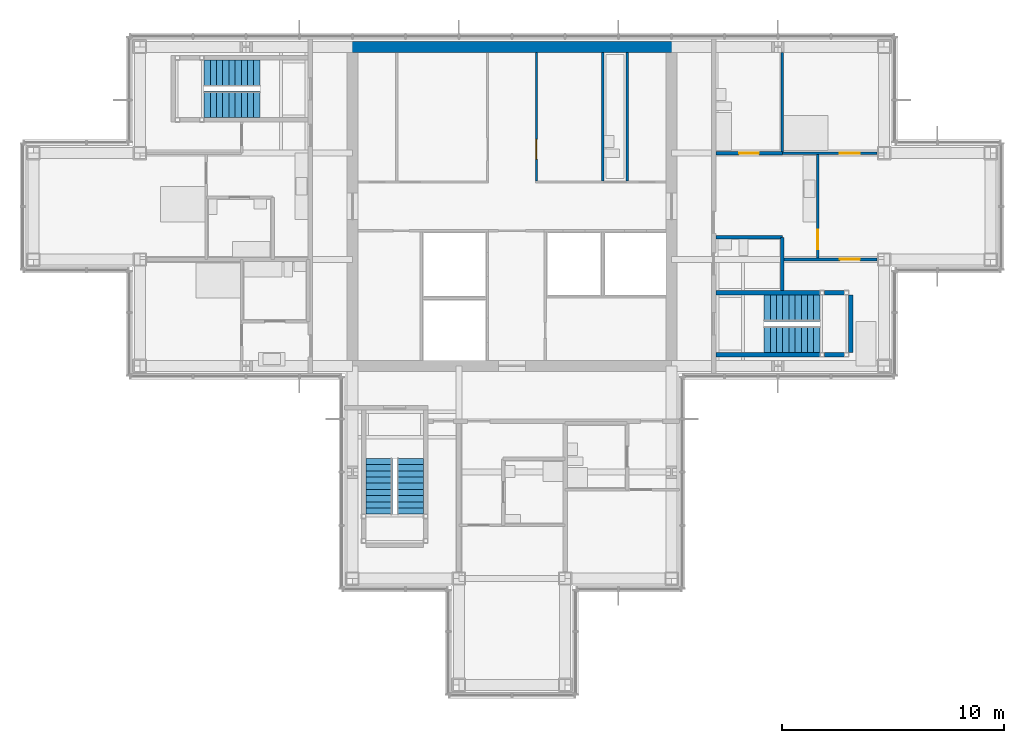
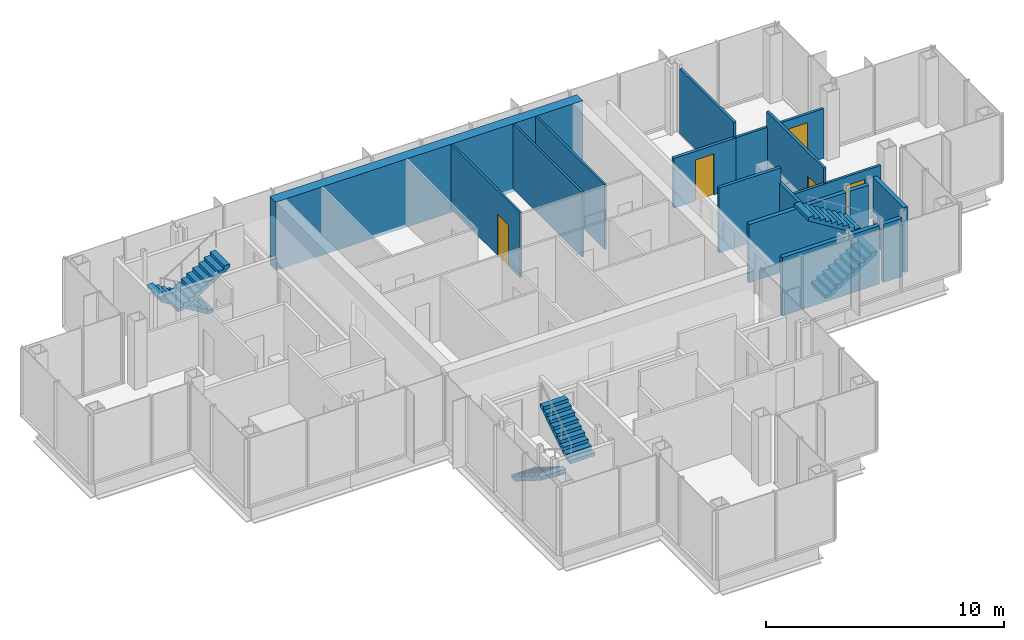
# One storey, part 12 of 15: 16 walls, 6 stair flights, 5 doors, 5 openings, 3 elements without a shape of their own.
"""IFC4 building model written with IfcOpenShell, lengths in metres."""

import ifcopenshell
import ifcopenshell.guid

model = None  # the IFC model being written
_history = None  # IfcOwnerHistory: only IFC2X3 demands one
_inside = {}  # id of a spatial element -> (the spatial element, [elements in it])
_under = {}  # id of a project, library or spatial element -> (it, [spatial elements below it])
_declared = {}  # id of a project -> (the project, [libraries it declares])
_typed = {}  # id of a type object -> (the type object, [elements of that type])
_made_of = {}  # id of a material, layer set ... -> (it, [elements and type objects made of it])


def new_model(schema):
    """Start an empty IFC model of exactly this schema.

    Asked for "IFC4X3", IfcOpenShell would pick the latest addendum, in which some entities
    have other attributes; the version numbers below select the first issue.
    IFC2X3 requires an IfcOwnerHistory on every rooted entity: one is made here for all.
    """
    global model, _history
    if schema == "IFC4X3":
        model = ifcopenshell.file(schema_version=(4, 3, 0, 0))
    else:
        model = ifcopenshell.file(schema=schema)
    _inside.clear()
    _under.clear()
    _declared.clear()
    _typed.clear()
    _made_of.clear()
    _history = None
    if model.schema == "IFC2X3":
        org = make("IfcOrganization", Name="unknown")
        user = make(
            "IfcPersonAndOrganization",
            ThePerson=make("IfcPerson", FamilyName="unknown"),
            TheOrganization=org,
        )
        app = make(
            "IfcApplication",
            ApplicationDeveloper=org,
            Version="unknown",
            ApplicationFullName="unknown",
            ApplicationIdentifier="unknown",
        )
        _history = make(
            "IfcOwnerHistory",
            OwningUser=user,
            OwningApplication=app,
            ChangeAction="ADDED",
            CreationDate=0,
        )
    return model


def make(cls, **values):
    """One entity of the class cls with the attributes given. An attribute that is None is left unset."""
    return model.create_entity(
        cls, **{name: value for name, value in values.items() if value is not None}
    )


def rooted(cls, **values):
    """An entity with a GlobalId (a new one), such as an element, a storey or a relation."""
    return make(cls, GlobalId=ifcopenshell.guid.new(), OwnerHistory=_history, **values)


def si_unit(unit_type, name, prefix=None):
    """IfcSIUnit, for example si_unit("LENGTHUNIT", "METRE", prefix="MILLI")."""
    return make("IfcSIUnit", UnitType=unit_type, Prefix=prefix, Name=name)


def assignment(units):
    """IfcUnitAssignment: the units of a project."""
    return None if units is None else make("IfcUnitAssignment", Units=units)


def point(xyz):
    """IfcCartesianPoint."""
    return None if xyz is None else make("IfcCartesianPoint", Coordinates=xyz)


def direction(xyz):
    """IfcDirection."""
    return None if xyz is None else make("IfcDirection", DirectionRatios=xyz)


def frame(location, z_axis=None, x_axis=None):
    """IfcAxis2Placement3D, a coordinate frame: its origin and axes. An axis left out is left unset."""
    return make(
        "IfcAxis2Placement3D",
        Location=point(location),
        Axis=direction(z_axis),
        RefDirection=direction(x_axis),
    )


def frame_2d(location, x_axis=None):
    """IfcAxis2Placement2D, a coordinate frame in the plane: its origin and x axis."""
    return make(
        "IfcAxis2Placement2D", Location=point(location), RefDirection=direction(x_axis)
    )


def origin():
    """The frame at (0, 0, 0) with its axes left unset."""
    return frame((0.0, 0.0, 0.0))


def place(relative_to, where):
    """IfcLocalPlacement: puts the frame where relative to a parent placement (None: the world)."""
    return make(
        "IfcLocalPlacement", PlacementRelTo=relative_to, RelativePlacement=where
    )


def context(
    kind, dimensions, precision=None, world=None, true_north=None, identifier=None
):
    """IfcGeometricRepresentationContext, for example the 3D "Model" context."""
    return make(
        "IfcGeometricRepresentationContext",
        ContextIdentifier=identifier,
        ContextType=kind,
        CoordinateSpaceDimension=dimensions,
        Precision=precision,
        WorldCoordinateSystem=world,
        TrueNorth=true_north,
    )


def subcontext(parent, identifier, kind, view, scale=None):
    """IfcGeometricRepresentationSubContext, for example "Body" below "Model"."""
    return make(
        "IfcGeometricRepresentationSubContext",
        ContextIdentifier=identifier,
        ContextType=kind,
        ParentContext=parent,
        TargetScale=scale,
        TargetView=view,
    )


def project(units=None, contexts=None):
    """IfcProject with its units and contexts."""
    return rooted(
        "IfcProject",
        Name="project",
        RepresentationContexts=contexts,
        UnitsInContext=assignment(units),
    )


def spatial(cls, under=None, at=None, **own):
    """A site, building, storey or space (cls), placed at a placement, below another one or the project."""
    s = rooted(cls, ObjectPlacement=at, **own)
    if under is not None:
        _under.setdefault(under.id(), (under, []))[1].append(s)
    return s


def polyline(points):
    """IfcPolyline through the points."""
    return make("IfcPolyline", Points=[point(p) for p in points])


def profile(cls, at=None, kind="AREA", **sizes):
    """A parametric profile (cls). Its sizes go by their IFC names, for example OverallWidth=200.0."""
    return make(cls, ProfileType=kind, Position=at, **sizes)


def rectangle(**sizes):
    """IfcRectangleProfileDef."""
    return profile("IfcRectangleProfileDef", **sizes)


def outline(outer, holes=None, kind="AREA"):
    """IfcArbitraryClosedProfileDef: a profile drawn as a closed curve; with holes, ...WithVoids."""
    if holes is None:
        return make("IfcArbitraryClosedProfileDef", ProfileType=kind, OuterCurve=outer)
    return make(
        "IfcArbitraryProfileDefWithVoids",
        ProfileType=kind,
        OuterCurve=outer,
        InnerCurves=holes,
    )


def extrude(swept, where, along, depth):
    """IfcExtrudedAreaSolid: the profile swept, set in the frame where, extruded along a direction by depth."""
    return make(
        "IfcExtrudedAreaSolid",
        SweptArea=swept,
        Position=where,
        ExtrudedDirection=direction(along),
        Depth=depth,
    )


def shape(context_of_items, identifier, shape_type, items):
    """IfcShapeRepresentation: the items that make up one representation, for example the "Body"."""
    return make(
        "IfcShapeRepresentation",
        ContextOfItems=context_of_items,
        RepresentationIdentifier=identifier,
        RepresentationType=shape_type,
        Items=items,
    )


def material(Name=None, Category=None):
    """IfcMaterial."""
    return make("IfcMaterial", Name=Name, Category=Category)


def layer(
    of_material, thickness, ventilated=None, Name=None, Category=None, Priority=None
):
    """IfcMaterialLayer: one layer of a wall or slab, of a material (None: an air gap)."""
    return make(
        "IfcMaterialLayer",
        Material=of_material,
        LayerThickness=thickness,
        IsVentilated=ventilated,
        Name=Name,
        Category=Category,
        Priority=Priority,
    )


def layer_set(layers, Name=None):
    """IfcMaterialLayerSet."""
    return make("IfcMaterialLayerSet", MaterialLayers=layers, LayerSetName=Name)


def made_of(thing, what):
    """Note that an element or type object is made of a material, layer set ...; save() writes the relation."""
    if what is not None:
        _made_of.setdefault(what.id(), (what, []))[1].append(thing)
    return thing


def type_object(cls, material=None, **own):
    """A type object (cls), such as IfcWallType, which elements share."""
    return made_of(rooted(cls, **own), material)


def element(
    cls,
    number,
    at=None,
    inside=None,
    cuts=None,
    type_object=None,
    material=None,
    context=None,
    identifier="Body",
    shape_type=None,
    held_by="IfcProductDefinitionShape",
    body=None,
    shapes=None,
    **own,
):
    """One element of the class cls, such as IfcWall. Its Tag is "e" and its number.

    at: its placement. inside: the storey or other place that contains it. cuts: it is an
    opening in that element (IfcRelVoidsElement). A single representation is given by context,
    identifier, shape_type and body (its items); several are given by shapes. held_by: the class
    of the entity that holds the representations. save() writes the other relations.
    """
    e = rooted(cls, Tag="e%d" % number, ObjectPlacement=at, **own)
    if body is not None:
        shapes = [shape(context, identifier, shape_type, body)]
    if shapes is not None:
        e.Representation = make(held_by, Representations=shapes)
    if inside is not None:
        _inside.setdefault(inside.id(), (inside, []))[1].append(e)
    if cuts is not None:
        rooted(
            "IfcRelVoidsElement", RelatingBuildingElement=cuts, RelatedOpeningElement=e
        )
    if type_object is not None:
        _typed.setdefault(type_object.id(), (type_object, []))[1].append(e)
    return made_of(e, material)


def fill(opening, filler):
    """IfcRelFillsElement: the door or window that sits in an opening."""
    return rooted(
        "IfcRelFillsElement",
        RelatingOpeningElement=opening,
        RelatedBuildingElement=filler,
    )


def aggregate(whole, parts):
    """IfcRelAggregates: a whole, such as a stair, and the parts it consists of."""
    return rooted("IfcRelAggregates", RelatingObject=whole, RelatedObjects=parts)


def save(model, path):
    """Write the relations noted so far, then the file.

    IfcRelAggregates (storeys below a building ...), IfcRelContainedInSpatialStructure (elements
    in a storey), IfcRelDefinesByType, IfcRelAssociatesMaterial and IfcRelDeclares: one each for
    every whole, place, type object, material and project.
    """
    for whole, parts in _under.values():
        aggregate(whole, parts)
    for where, things in _inside.values():
        rooted(
            "IfcRelContainedInSpatialStructure",
            RelatedElements=things,
            RelatingStructure=where,
        )
    for kind, things in _typed.values():
        rooted("IfcRelDefinesByType", RelatedObjects=things, RelatingType=kind)
    for what, things in _made_of.values():
        rooted("IfcRelAssociatesMaterial", RelatedObjects=things, RelatingMaterial=what)
    for by, libraries in _declared.values():
        rooted("IfcRelDeclares", RelatingContext=by, RelatedDefinitions=libraries)
    model.write(path)


model = new_model("IFC4")

# Units and contexts
model_context = context("Model", 3, precision=1e-05, world=origin(), true_north=direction((0.0, 1.0)))
body_context = subcontext(model_context, "Body", "Model", "MODEL_VIEW")
ifc_project = project(units=[si_unit("LENGTHUNIT", "METRE"), si_unit("AREAUNIT", "SQUARE_METRE"), si_unit("VOLUMEUNIT", "CUBIC_METRE"), si_unit("PLANEANGLEUNIT", "RADIAN"), si_unit("MASSUNIT", "GRAM", prefix="KILO")], contexts=[model_context])

# Site, building, storey
site_placement = place(None, origin())
site = spatial("IfcSite", under=ifc_project, at=site_placement, CompositionType="ELEMENT")
building_placement = place(site_placement, origin())
building = spatial("IfcBuilding", under=site, at=building_placement, Name="Kvirike Care Tower", CompositionType="ELEMENT")
storey_placement = place(building_placement, frame((0.0, 0.0, 212.0)))
storey = spatial("IfcBuildingStorey", under=building, at=storey_placement, Name="L58", CompositionType="ELEMENT", Elevation=212.0)

# Walls
ifc_material_1 = material(Name="Moisture-resistant board partition", Category="gypsum")
ifc_layer_1 = layer(ifc_material_1, 0.14990234375)
ifc_layer_set_1 = layer_set([ifc_layer_1], Name="BATHROOM WALL 150")
wall_type_1 = type_object("IfcWallType", Name="BATHROOM WALL 150", PredefinedType="PARTITIONING", material=ifc_layer_set_1)
wall_1_placement = place(storey_placement, frame((33.800048828125, 32.199951171875, 0.0), z_axis=(0.0, 0.0, 1.0), x_axis=(0.0, 1.0, 0.0)))
element("IfcWall", 1, at=wall_1_placement, inside=storey, type_object=wall_type_1, Name="Bathroom Wall 150 L58", PredefinedType="PARTITIONING", context=body_context, shape_type="SweptSolid", body=[
    extrude(rectangle(XDim=2.400146484375, YDim=0.14990234375, at=frame_2d((1.2001953125, 0.0))), origin(), (0.0, 0.0, 1.0), 2.550048828125),
])
wall_2_placement = place(storey_placement, frame((33.800048828125, 34.60009765625, 0.0), z_axis=(0.0, 0.0, 1.0), x_axis=(-1.0, 0.0, 0.0)))
element("IfcWall", 2, at=wall_2_placement, inside=storey, type_object=wall_type_1, Name="Bathroom Wall 150 L58", PredefinedType="PARTITIONING", context=body_context, shape_type="SweptSolid", body=[
    extrude(rectangle(XDim=3.0, YDim=0.14990234375, at=frame_2d((1.5, 0.0))), origin(), (0.0, 0.0, 1.0), 3.330078125),
])

# Wall, opening, door
wall_3_placement = place(storey_placement, frame((33.800048828125, 38.39990234375, 0.0), z_axis=(0.0, 0.0, 1.0), x_axis=(-1.0, 0.0, 0.0)))
wall_3 = element("IfcWall", 3, at=wall_3_placement, inside=storey, type_object=wall_type_1, Name="Bathroom Wall 150 L58", PredefinedType="PARTITIONING", context=body_context, shape_type="SweptSolid", body=[
    extrude(rectangle(XDim=3.0, YDim=0.14990234375, at=frame_2d((1.5, 0.0))), origin(), (0.0, 0.0, 1.0), 2.550048828125),
])
opening_1_placement = place(wall_3_placement, frame((1.050048828125, 0.0, 0.0)))
opening_1 = element("IfcOpeningElement", 4, at=opening_1_placement, cuts=wall_3, Name="Opening 58-017", PredefinedType="OPENING", context=body_context, shape_type="SweptSolid", body=[
    extrude(rectangle(XDim=0.89990234375, YDim=2.10009765625, at=frame_2d((0.449951171875, 1.050048828125))), frame((0.0, 0.08544921875, 0.0), z_axis=(0.0, -1.0, 0.0), x_axis=(1.0, 0.0, 0.0)), (0.0, 0.0, 1.0), 0.1708984375),
])
ifc_material_2 = material(Name="Timber door set", Category="wood")
door_type_1 = type_object("IfcDoorType", Name="BATHROOM DOOR 900", OperationType="SINGLE_SWING_RIGHT", PredefinedType="DOOR", material=ifc_material_2)
door_1_placement = place(opening_1_placement, frame((0.89990234375, 0.0, 0.0), z_axis=(0.0, 0.0, 1.0), x_axis=(-1.0, 0.0, 0.0)))
door_1 = element("IfcDoor", 5, at=door_1_placement, inside=storey, type_object=door_type_1, Name="Bathroom door", OperationType="SINGLE_SWING_RIGHT", OverallHeight=2.10009765625, OverallWidth=0.89990234375, PredefinedType="DOOR", context=body_context, shape_type="SweptSolid", body=[
    extrude(rectangle(XDim=0.89990234375, YDim=2.10009765625, at=frame_2d((0.449951171875, 1.050048828125))), frame((0.0, 0.02197265625, 0.0), z_axis=(0.0, -1.0, 0.0), x_axis=(1.0, 0.0, 0.0)), (0.0, 0.0, 1.0), 0.0439453125),
])
fill(opening_1, door_1)

# Wall
ifc_material_3 = material(Name="Concrete C40/50", Category="concrete")
ifc_layer_2 = layer(ifc_material_3, 0.5)
ifc_layer_set_2 = layer_set([ifc_layer_2], Name="CORE WALL 500 C40-50")
wall_type_2 = type_object("IfcWallType", Name="CORE WALL 500 C40-50", PredefinedType="SHEAR", material=ifc_layer_set_2)
wall_4_placement = place(storey_placement, frame((29.050048828125, 43.199951171875, -0.169921875), z_axis=(0.0, 0.0, 1.0), x_axis=(-1.0, 0.0, 0.0)))
element("IfcWall", 6, at=wall_4_placement, inside=storey, type_object=wall_type_2, Name="Core wall N L58", PredefinedType="SHEAR", context=body_context, shape_type="SweptSolid", body=[
    extrude(rectangle(XDim=14.900146484375, YDim=0.5, at=frame_2d((7.4501953125, 0.0))), origin(), (0.0, 0.0, 1.0), 3.5),
])

# Wall, opening, door
ifc_material_4 = material(Name="Plasterboard partition", Category="gypsum")
ifc_layer_3 = layer(ifc_material_4, 0.1201171875)
ifc_layer_set_3 = layer_set([ifc_layer_3], Name="PARTITION 120")
wall_type_3 = type_object("IfcWallType", Name="PARTITION 120", PredefinedType="PARTITIONING", material=ifc_layer_set_3)
wall_5_placement = place(storey_placement, frame((35.39990234375, 33.60009765625, 0.0), z_axis=(0.0, 0.0, 1.0), x_axis=(0.0, 1.0, 0.0)))
wall_5 = element("IfcWall", 7, at=wall_5_placement, inside=storey, type_object=wall_type_3, Name="Partition 120 L58", PredefinedType="PARTITIONING", context=body_context, shape_type="SweptSolid", body=[
    extrude(rectangle(XDim=4.7998046875, YDim=0.1201171875, at=frame_2d((2.39990234375, 0.0))), origin(), (0.0, 0.0, 1.0), 3.330078125),
])
opening_2_placement = place(wall_5_placement, frame((0.449951171875, 0.0, 0.0)))
opening_2 = element("IfcOpeningElement", 8, at=opening_2_placement, cuts=wall_5, Name="Opening 58-018", PredefinedType="OPENING", context=body_context, shape_type="SweptSolid", body=[
    extrude(rectangle(XDim=0.89990234375, YDim=2.10009765625, at=frame_2d((0.449951171875, 1.050048828125))), frame((0.0, 0.070556640625, 0.0), z_axis=(0.0, -1.0, 0.0), x_axis=(1.0, 0.0, 0.0)), (0.0, 0.0, 1.0), 0.14111328125),
])
ifc_material_5 = material(Name="Timber door set", Category="wood")
door_type_2 = type_object("IfcDoorType", Name="INTERNAL DOOR 900", OperationType="SINGLE_SWING_LEFT", PredefinedType="DOOR", material=ifc_material_5)
door_2_placement = place(opening_2_placement, origin())
door_2 = element("IfcDoor", 9, at=door_2_placement, inside=storey, type_object=door_type_2, Name="Apartment living room door", OperationType="SINGLE_SWING_RIGHT", OverallHeight=2.10009765625, OverallWidth=0.89990234375, PredefinedType="DOOR", context=body_context, shape_type="SweptSolid", body=[
    extrude(rectangle(XDim=0.89990234375, YDim=2.10009765625, at=frame_2d((0.449951171875, 1.050048828125))), frame((0.0, 0.02197265625, 0.0), z_axis=(0.0, -1.0, 0.0), x_axis=(1.0, 0.0, 0.0)), (0.0, 0.0, 1.0), 0.0439453125),
])
fill(opening_2, door_2)

# Wall
wall_6_placement = place(storey_placement, frame((33.800048828125, 38.39990234375, 0.0), z_axis=(0.0, 0.0, 1.0), x_axis=(0.0, 1.0, 0.0)))
element("IfcWall", 10, at=wall_6_placement, inside=storey, type_object=wall_type_3, Name="Partition 120 L58", PredefinedType="PARTITIONING", context=body_context, shape_type="SweptSolid", body=[
    extrude(rectangle(XDim=4.552978515625, YDim=0.1201171875, at=frame_2d((2.2763671875, 0.0))), origin(), (0.0, 0.0, 1.0), 3.330078125),
])

# Wall, opening, door
wall_7_placement = place(storey_placement, frame((38.080078125, 33.60009765625, 0.0), z_axis=(0.0, 0.0, 1.0), x_axis=(-1.0, 0.0, 0.0)))
wall_7 = element("IfcWall", 11, at=wall_7_placement, inside=storey, type_object=wall_type_3, Name="Partition 120 L58", PredefinedType="PARTITIONING", context=body_context, shape_type="SweptSolid", body=[
    extrude(rectangle(XDim=4.280029296875, YDim=0.1201171875, at=frame_2d((2.14013671875, 0.0))), origin(), (0.0, 0.0, 1.0), 2.550048828125),
])
opening_3_placement = place(wall_7_placement, frame((0.780029296875, 0.0, 0.0)))
opening_3 = element("IfcOpeningElement", 12, at=opening_3_placement, cuts=wall_7, Name="Opening 58-019", PredefinedType="OPENING", context=body_context, shape_type="SweptSolid", body=[
    extrude(rectangle(XDim=0.89990234375, YDim=2.10009765625, at=frame_2d((0.449951171875, 1.050048828125))), frame((0.0, 0.070556640625, 0.0), z_axis=(0.0, -1.0, 0.0), x_axis=(1.0, 0.0, 0.0)), (0.0, 0.0, 1.0), 0.14111328125),
])
door_3_placement = place(opening_3_placement, origin())
door_3 = element("IfcDoor", 13, at=door_3_placement, inside=storey, type_object=door_type_2, Name="Connecting door", OperationType="SINGLE_SWING_RIGHT", OverallHeight=2.10009765625, OverallWidth=0.89990234375, PredefinedType="DOOR", context=body_context, shape_type="SweptSolid", body=[
    extrude(rectangle(XDim=0.89990234375, YDim=2.10009765625, at=frame_2d((0.449951171875, 1.050048828125))), frame((0.0, 0.02197265625, 0.0), z_axis=(0.0, -1.0, 0.0), x_axis=(1.0, 0.0, 0.0)), (0.0, 0.0, 1.0), 0.0439453125),
])
fill(opening_3, door_3)

wall_8_placement = place(storey_placement, frame((38.080078125, 38.39990234375, 0.0), z_axis=(0.0, 0.0, 1.0), x_axis=(-1.0, 0.0, 0.0)))
wall_8 = element("IfcWall", 14, at=wall_8_placement, inside=storey, type_object=wall_type_3, Name="Partition 120 L58", PredefinedType="PARTITIONING", context=body_context, shape_type="SweptSolid", body=[
    extrude(rectangle(XDim=4.280029296875, YDim=0.1201171875, at=frame_2d((2.14013671875, 0.0))), origin(), (0.0, 0.0, 1.0), 2.550048828125),
])
opening_4_placement = place(wall_8_placement, frame((0.780029296875, 0.0, 0.0)))
opening_4 = element("IfcOpeningElement", 15, at=opening_4_placement, cuts=wall_8, Name="Opening 58-020", PredefinedType="OPENING", context=body_context, shape_type="SweptSolid", body=[
    extrude(rectangle(XDim=0.89990234375, YDim=2.10009765625, at=frame_2d((0.449951171875, 1.050048828125))), frame((0.0, 0.070556640625, 0.0), z_axis=(0.0, -1.0, 0.0), x_axis=(1.0, 0.0, 0.0)), (0.0, 0.0, 1.0), 0.14111328125),
])
door_4_placement = place(opening_4_placement, frame((0.89990234375, 0.0, 0.0), z_axis=(0.0, 0.0, 1.0), x_axis=(-1.0, 0.0, 0.0)))
door_4 = element("IfcDoor", 16, at=door_4_placement, inside=storey, type_object=door_type_2, Name="Connecting door", OperationType="SINGLE_SWING_LEFT", OverallHeight=2.10009765625, OverallWidth=0.89990234375, PredefinedType="DOOR", context=body_context, shape_type="SweptSolid", body=[
    extrude(rectangle(XDim=0.89990234375, YDim=2.10009765625, at=frame_2d((0.449951171875, 1.050048828125))), frame((0.0, 0.02197265625, 0.0), z_axis=(0.0, -1.0, 0.0), x_axis=(1.0, 0.0, 0.0)), (0.0, 0.0, 1.0), 0.0439453125),
])
fill(opening_4, door_4)

# Wall
ifc_material_6 = material(Name="Gypsum shaft wall system", Category="gypsum")
ifc_layer_4 = layer(ifc_material_6, 0.10009765625)
ifc_layer_set_4 = layer_set([ifc_layer_4], Name="SHAFT WALL 100")
wall_type_4 = type_object("IfcWallType", Name="SHAFT WALL 100", PredefinedType="SOLIDWALL", material=ifc_layer_set_4)
wall_9_placement = place(storey_placement, frame((26.800048828125, 37.14990234375, 0.0), z_axis=(0.0, 0.0, 1.0), x_axis=(0.0, 1.0, 0.0)))
element("IfcWall", 17, at=wall_9_placement, inside=storey, type_object=wall_type_4, Name="Shaft Wall 100 L58", PredefinedType="SOLIDWALL", context=body_context, shape_type="SweptSolid", body=[
    extrude(rectangle(XDim=5.800048828125, YDim=0.10009765625, at=frame_2d((2.89990234375, 0.0))), origin(), (0.0, 0.0, 1.0), 3.330078125),
])

# Wall, opening, door
wall_10_placement = place(storey_placement, frame((22.699951171875, 37.14990234375, 0.0), z_axis=(0.0, 0.0, 1.0), x_axis=(0.0, 1.0, 0.0)))
wall_10 = element("IfcWall", 18, at=wall_10_placement, inside=storey, type_object=wall_type_4, Name="Shaft Wall 100 L58", PredefinedType="SOLIDWALL", context=body_context, shape_type="SweptSolid", body=[
    extrude(rectangle(XDim=5.800048828125, YDim=0.10009765625, at=frame_2d((2.89990234375, 0.0))), origin(), (0.0, 0.0, 1.0), 3.330078125),
])
opening_5_placement = place(wall_10_placement, frame((0.97509765625, 0.0, 0.0)))
opening_5 = element("IfcOpeningElement", 19, at=opening_5_placement, cuts=wall_10, Name="Opening 58-027", PredefinedType="OPENING", context=body_context, shape_type="SweptSolid", body=[
    extrude(rectangle(XDim=0.89990234375, YDim=2.10009765625, at=frame_2d((0.449951171875, 1.050048828125))), frame((0.0, 0.060546875, 0.0), z_axis=(0.0, -1.0, 0.0), x_axis=(1.0, 0.0, 0.0)), (0.0, 0.0, 1.0), 0.12109375),
])
ifc_material_7 = material(Name="Timber door set", Category="wood")
door_type_3 = type_object("IfcDoorType", Name="STORE DOOR 900", OperationType="SINGLE_SWING_LEFT", PredefinedType="DOOR", material=ifc_material_7)
door_5_placement = place(opening_5_placement, frame((0.89990234375, 0.0, 0.0), z_axis=(0.0, 0.0, 1.0), x_axis=(-1.0, 0.0, 0.0)))
door_5 = element("IfcDoor", 20, at=door_5_placement, inside=storey, type_object=door_type_3, Name="Housekeeping office door", OperationType="SINGLE_SWING_LEFT", OverallHeight=2.10009765625, OverallWidth=0.89990234375, PredefinedType="DOOR", context=body_context, shape_type="SweptSolid", body=[
    extrude(rectangle(XDim=0.89990234375, YDim=2.10009765625, at=frame_2d((0.449951171875, 1.050048828125))), frame((0.0, 0.02685546875, 0.0), z_axis=(0.0, -1.0, 0.0), x_axis=(1.0, 0.0, 0.0)), (0.0, 0.0, 1.0), 0.053955078125),
])
fill(opening_5, door_5)

# Walls
wall_11_placement = place(storey_placement, frame((25.699951171875, 37.14990234375, 0.0), z_axis=(0.0, 0.0, 1.0), x_axis=(0.0, 1.0, 0.0)))
element("IfcWall", 21, at=wall_11_placement, inside=storey, type_object=wall_type_4, Name="Shaft Wall 100 L58", PredefinedType="SOLIDWALL", context=body_context, shape_type="SweptSolid", body=[
    extrude(rectangle(XDim=5.800048828125, YDim=0.10009765625, at=frame_2d((2.89990234375, 0.0))), origin(), (0.0, 0.0, 1.0), 3.330078125),
])
ifc_material_8 = material(Name="Concrete C40/50", Category="concrete")
ifc_layer_5 = layer(ifc_material_8, 0.199951171875)
ifc_layer_set_5 = layer_set([ifc_layer_5], Name="STAIR WALL 200")
wall_type_5 = type_object("IfcWallType", Name="STAIR WALL 200", PredefinedType="SOLIDWALL", material=ifc_layer_set_5)
wall_12_placement = place(storey_placement, frame((36.60009765625, 29.300048828125, 0.0), z_axis=(0.0, 0.0, 1.0), x_axis=(-1.0, 0.0, 0.0)))
element("IfcWall", 22, at=wall_12_placement, inside=storey, type_object=wall_type_5, Name="Stair Wall 200 L58", PredefinedType="SOLIDWALL", context=body_context, shape_type="SweptSolid", body=[
    extrude(rectangle(XDim=0.900146484375, YDim=0.199951171875, at=frame_2d((0.4501953125, 0.0))), origin(), (0.0, 0.0, 1.0), 2.989990234375),
])
wall_13_placement = place(storey_placement, frame((35.5, 29.300048828125, 0.0), z_axis=(0.0, 0.0, 1.0), x_axis=(-1.0, 0.0, 0.0)))
element("IfcWall", 23, at=wall_13_placement, inside=storey, type_object=wall_type_5, Name="Stair Wall 200 L58", PredefinedType="SOLIDWALL", context=body_context, shape_type="SweptSolid", body=[
    extrude(rectangle(XDim=4.699951171875, YDim=0.199951171875, at=frame_2d((2.35009765625, 0.0))), origin(), (0.0, 0.0, 1.0), 2.989990234375),
])
wall_14_placement = place(storey_placement, frame((36.60009765625, 32.10009765625, 0.0), z_axis=(0.0, 0.0, 1.0), x_axis=(-1.0, 0.0, 0.0)))
element("IfcWall", 24, at=wall_14_placement, inside=storey, type_object=wall_type_5, Name="Stair Wall 200 L58", PredefinedType="SOLIDWALL", context=body_context, shape_type="SweptSolid", body=[
    extrude(rectangle(XDim=0.900146484375, YDim=0.199951171875, at=frame_2d((0.4501953125, 0.0))), origin(), (0.0, 0.0, 1.0), 2.989990234375),
])
wall_15_placement = place(storey_placement, frame((35.5, 32.10009765625, 0.0), z_axis=(0.0, 0.0, 1.0), x_axis=(-1.0, 0.0, 0.0)))
element("IfcWall", 25, at=wall_15_placement, inside=storey, type_object=wall_type_5, Name="Stair Wall 200 L58", PredefinedType="SOLIDWALL", context=body_context, shape_type="SweptSolid", body=[
    extrude(rectangle(XDim=4.699951171875, YDim=0.199951171875, at=frame_2d((2.35009765625, 0.0))), origin(), (0.0, 0.0, 1.0), 2.989990234375),
])
wall_16_placement = place(storey_placement, frame((36.89990234375, 29.39990234375, 0.0), z_axis=(0.0, 0.0, 1.0), x_axis=(0.0, 1.0, 0.0)))
element("IfcWall", 26, at=wall_16_placement, inside=storey, type_object=wall_type_5, Name="Stair Wall 200 L58", PredefinedType="SOLIDWALL", context=body_context, shape_type="SweptSolid", body=[
    extrude(rectangle(XDim=2.60009765625, YDim=0.199951171875, at=frame_2d((1.300048828125, 0.0))), origin(), (0.0, 0.0, 1.0), 3.330078125),
])

# Stair, stair flights
ifc_material_9 = material(Name="Concrete C35/45", Category="concrete")
stair_type = type_object("IfcStairType", Name="STAIR 20 RISERS", PredefinedType="HALF_TURN_STAIR", material=ifc_material_9)
stair_1_placement = place(storey_placement, origin())
stair_1 = element("IfcStair", 27, at=stair_1_placement, inside=storey, type_object=stair_type, Name="Stair 1 L58", PredefinedType="HALF_TURN_STAIR")
ifc_material_10 = material(Name="Concrete C35/45", Category="concrete")
stair_flight_type = type_object("IfcStairFlightType", Name="FLIGHT 10 RISERS", PredefinedType="STRAIGHT", material=ifc_material_10)
stair_flight_1_placement = place(storey_placement, frame((10.219970703125, 42.0, 0.0), z_axis=(0.0, 0.0, 1.0), x_axis=(-1.0, 0.0, 0.0)))
stair_flight_1 = element("IfcStairFlight", 28, at=stair_flight_1_placement, type_object=stair_flight_type, Name="Stair S1 flight 1 L58-L59", NumberOfRisers=10, NumberOfTreads=9, PredefinedType="STRAIGHT", RiserHeight=0.175, TreadLength=0.28, context=body_context, shape_type="SweptSolid", body=[
    extrude(outline(polyline([(0.0, 0.0), (0.0, 0.175048828125), (0.280029296875, 0.175048828125), (0.280029296875, 0.35009765625), (0.56005859375, 0.35009765625), (0.56005859375, 0.52490234375), (0.840087890625, 0.52490234375), (0.840087890625, 0.699951171875), (1.1201171875, 0.699951171875), (1.1201171875, 0.875), (1.39990234375, 0.875), (1.39990234375, 1.050048828125), (1.679931640625, 1.050048828125), (1.679931640625, 1.22509765625), (1.9599609375, 1.22509765625), (1.9599609375, 1.39990234375), (2.239990234375, 1.39990234375), (2.239990234375, 1.574951171875), (2.52001953125, 1.574951171875), (2.52001953125, 1.75), (2.52001953125, 1.398193359375), (0.28271484375, 0.0), (0.0, 0.0)])), frame((0.0, 0.60009765625, 0.0), z_axis=(0.0, -1.0, 0.0), x_axis=(1.0, 0.0, 0.0)), (0.0, 0.0, 1.0), 1.199951171875),
])
stair_flight_2_placement = place(storey_placement, frame((7.699951171875, 40.60009765625, 1.75), z_axis=(0.0, 0.0, 1.0), x_axis=(1.0, 0.0, 0.0)))
stair_flight_2 = element("IfcStairFlight", 29, at=stair_flight_2_placement, type_object=stair_flight_type, Name="Stair S1 flight 2 L58-L59", NumberOfRisers=10, NumberOfTreads=9, PredefinedType="STRAIGHT", RiserHeight=0.175, TreadLength=0.28, context=body_context, shape_type="SweptSolid", body=[
    extrude(outline(polyline([(0.0, 0.0), (0.0, 0.175048828125), (0.280029296875, 0.175048828125), (0.280029296875, 0.35009765625), (0.56005859375, 0.35009765625), (0.56005859375, 0.52490234375), (0.840087890625, 0.52490234375), (0.840087890625, 0.699951171875), (1.1201171875, 0.699951171875), (1.1201171875, 0.875), (1.39990234375, 0.875), (1.39990234375, 1.050048828125), (1.679931640625, 1.050048828125), (1.679931640625, 1.22509765625), (1.9599609375, 1.22509765625), (1.9599609375, 1.39990234375), (2.239990234375, 1.39990234375), (2.239990234375, 1.574951171875), (2.52001953125, 1.574951171875), (2.52001953125, 1.75), (2.52001953125, 1.398193359375), (0.28271484375, 0.0), (0.0, 0.0)])), frame((0.0, 0.60009765625, 0.0), z_axis=(0.0, -1.0, 0.0), x_axis=(1.0, 0.0, 0.0)), (0.0, 0.0, 1.0), 1.199951171875),
])
aggregate(stair_1, [stair_flight_1, stair_flight_2])

stair_2_placement = place(storey_placement, origin())
stair_2 = element("IfcStair", 30, at=stair_2_placement, inside=storey, type_object=stair_type, Name="Stair 2 L58", PredefinedType="HALF_TURN_STAIR")
stair_flight_3_placement = place(storey_placement, frame((32.97998046875, 30.0, 0.0), z_axis=(0.0, 0.0, 1.0), x_axis=(1.0, 0.0, 0.0)))
stair_flight_3 = element("IfcStairFlight", 31, at=stair_flight_3_placement, type_object=stair_flight_type, Name="Stair S2 flight 1 L58-L59", NumberOfRisers=10, NumberOfTreads=9, PredefinedType="STRAIGHT", RiserHeight=0.175, TreadLength=0.28, context=body_context, shape_type="SweptSolid", body=[
    extrude(outline(polyline([(0.0, 0.0), (0.0, 0.175048828125), (0.280029296875, 0.175048828125), (0.280029296875, 0.35009765625), (0.56005859375, 0.35009765625), (0.56005859375, 0.52490234375), (0.840087890625, 0.52490234375), (0.840087890625, 0.699951171875), (1.1201171875, 0.699951171875), (1.1201171875, 0.875), (1.39990234375, 0.875), (1.39990234375, 1.050048828125), (1.679931640625, 1.050048828125), (1.679931640625, 1.22509765625), (1.9599609375, 1.22509765625), (1.9599609375, 1.39990234375), (2.239990234375, 1.39990234375), (2.239990234375, 1.574951171875), (2.52001953125, 1.574951171875), (2.52001953125, 1.75), (2.52001953125, 1.398193359375), (0.28271484375, 0.0), (0.0, 0.0)])), frame((0.0, 0.60009765625, 0.0), z_axis=(0.0, -1.0, 0.0), x_axis=(1.0, 0.0, 0.0)), (0.0, 0.0, 1.0), 1.199951171875),
])
stair_flight_4_placement = place(storey_placement, frame((35.5, 31.39990234375, 1.75), z_axis=(0.0, 0.0, 1.0), x_axis=(-1.0, 0.0, 0.0)))
stair_flight_4 = element("IfcStairFlight", 32, at=stair_flight_4_placement, type_object=stair_flight_type, Name="Stair S2 flight 2 L58-L59", NumberOfRisers=10, NumberOfTreads=9, PredefinedType="STRAIGHT", RiserHeight=0.175, TreadLength=0.28, context=body_context, shape_type="SweptSolid", body=[
    extrude(outline(polyline([(0.0, 0.0), (0.0, 0.175048828125), (0.280029296875, 0.175048828125), (0.280029296875, 0.35009765625), (0.56005859375, 0.35009765625), (0.56005859375, 0.52490234375), (0.840087890625, 0.52490234375), (0.840087890625, 0.699951171875), (1.1201171875, 0.699951171875), (1.1201171875, 0.875), (1.39990234375, 0.875), (1.39990234375, 1.050048828125), (1.679931640625, 1.050048828125), (1.679931640625, 1.22509765625), (1.9599609375, 1.22509765625), (1.9599609375, 1.39990234375), (2.239990234375, 1.39990234375), (2.239990234375, 1.574951171875), (2.52001953125, 1.574951171875), (2.52001953125, 1.75), (2.52001953125, 1.398193359375), (0.28271484375, 0.0), (0.0, 0.0)])), frame((0.0, 0.60009765625, 0.0), z_axis=(0.0, -1.0, 0.0), x_axis=(1.0, 0.0, 0.0)), (0.0, 0.0, 1.0), 1.199951171875),
])
aggregate(stair_2, [stair_flight_3, stair_flight_4])

stair_3_placement = place(storey_placement, origin())
stair_3 = element("IfcStair", 33, at=stair_3_placement, inside=storey, type_object=stair_type, Name="Stair 5 L58", PredefinedType="HALF_TURN_STAIR")
stair_flight_5_placement = place(storey_placement, frame((15.60009765625, 24.6201171875, 0.0), z_axis=(0.0, 0.0, 1.0), x_axis=(0.0, -1.0, 0.0)))
stair_flight_5 = element("IfcStairFlight", 34, at=stair_flight_5_placement, type_object=stair_flight_type, Name="Stair S5 flight 1 L58-L59", NumberOfRisers=10, NumberOfTreads=9, PredefinedType="STRAIGHT", RiserHeight=0.175, TreadLength=0.28, context=body_context, shape_type="SweptSolid", body=[
    extrude(outline(polyline([(0.0, 0.0), (0.0, 0.175048828125), (0.280029296875, 0.175048828125), (0.280029296875, 0.35009765625), (0.56005859375, 0.35009765625), (0.56005859375, 0.52490234375), (0.840087890625, 0.52490234375), (0.840087890625, 0.699951171875), (1.1201171875, 0.699951171875), (1.1201171875, 0.875), (1.39990234375, 0.875), (1.39990234375, 1.050048828125), (1.679931640625, 1.050048828125), (1.679931640625, 1.22509765625), (1.9599609375, 1.22509765625), (1.9599609375, 1.39990234375), (2.239990234375, 1.39990234375), (2.239990234375, 1.574951171875), (2.52001953125, 1.574951171875), (2.52001953125, 1.75), (2.52001953125, 1.398193359375), (0.28271484375, 0.0), (0.0, 0.0)])), frame((0.0, 0.60009765625, 0.0), z_axis=(0.0, -1.0, 0.0), x_axis=(1.0, 0.0, 0.0)), (0.0, 0.0, 1.0), 1.199951171875),
])
stair_flight_6_placement = place(storey_placement, frame((17.0, 22.10009765625, 1.75), z_axis=(0.0, 0.0, 1.0), x_axis=(0.0, 1.0, 0.0)))
stair_flight_6 = element("IfcStairFlight", 35, at=stair_flight_6_placement, type_object=stair_flight_type, Name="Stair S5 flight 2 L58-L59", NumberOfRisers=10, NumberOfTreads=9, PredefinedType="STRAIGHT", RiserHeight=0.175, TreadLength=0.28, context=body_context, shape_type="SweptSolid", body=[
    extrude(outline(polyline([(0.0, 0.0), (0.0, 0.175048828125), (0.280029296875, 0.175048828125), (0.280029296875, 0.35009765625), (0.56005859375, 0.35009765625), (0.56005859375, 0.52490234375), (0.840087890625, 0.52490234375), (0.840087890625, 0.699951171875), (1.1201171875, 0.699951171875), (1.1201171875, 0.875), (1.39990234375, 0.875), (1.39990234375, 1.050048828125), (1.679931640625, 1.050048828125), (1.679931640625, 1.22509765625), (1.9599609375, 1.22509765625), (1.9599609375, 1.39990234375), (2.239990234375, 1.39990234375), (2.239990234375, 1.574951171875), (2.52001953125, 1.574951171875), (2.52001953125, 1.75), (2.52001953125, 1.398193359375), (0.28271484375, 0.0), (0.0, 0.0)])), frame((0.0, 0.60009765625, 0.0), z_axis=(0.0, -1.0, 0.0), x_axis=(1.0, 0.0, 0.0)), (0.0, 0.0, 1.0), 1.199951171875),
])
aggregate(stair_3, [stair_flight_5, stair_flight_6])

save(model, "model.ifc")
